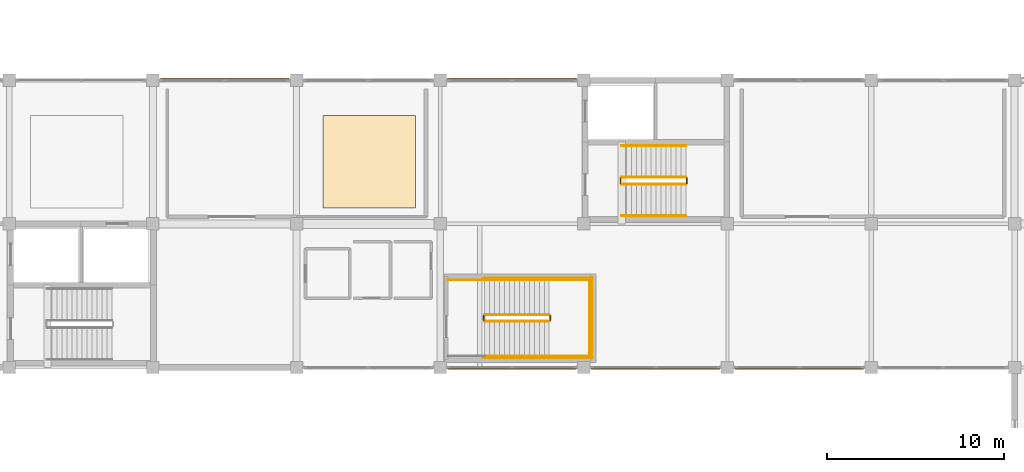
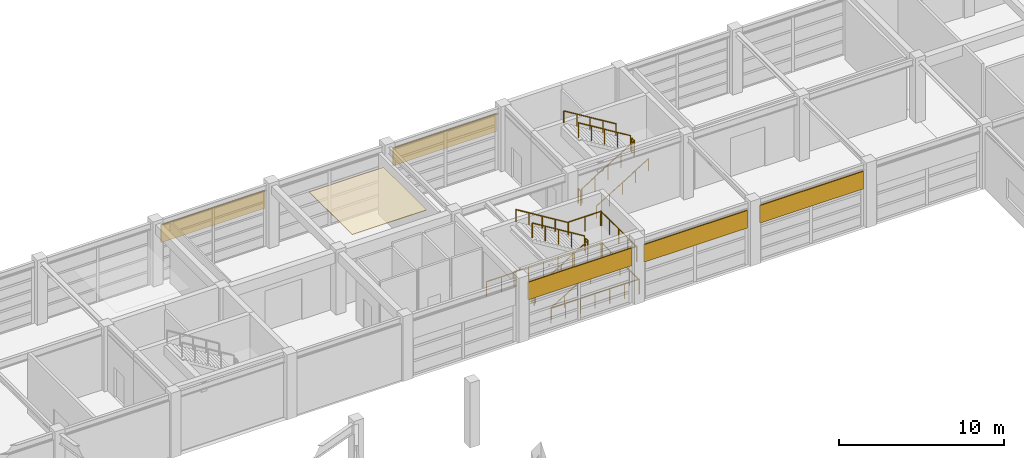
# One storey, part 54 of 56: 19 railings, 5 shading devices, 1 covering.
"""IFC4 building model written with IfcOpenShell, lengths in metres."""

import ifcopenshell
import ifcopenshell.guid

model = None  # the IFC model being written
_history = None  # IfcOwnerHistory: only IFC2X3 demands one
_inside = {}  # id of a spatial element -> (the spatial element, [elements in it])
_under = {}  # id of a project, library or spatial element -> (it, [spatial elements below it])
_declared = {}  # id of a project -> (the project, [libraries it declares])
_typed = {}  # id of a type object -> (the type object, [elements of that type])
_made_of = {}  # id of a material, layer set ... -> (it, [elements and type objects made of it])


def new_model(schema):
    """Start an empty IFC model of exactly this schema.

    Asked for "IFC4X3", IfcOpenShell would pick the latest addendum, in which some entities
    have other attributes; the version numbers below select the first issue.
    IFC2X3 requires an IfcOwnerHistory on every rooted entity: one is made here for all.
    """
    global model, _history
    if schema == "IFC4X3":
        model = ifcopenshell.file(schema_version=(4, 3, 0, 0))
    else:
        model = ifcopenshell.file(schema=schema)
    _inside.clear()
    _under.clear()
    _declared.clear()
    _typed.clear()
    _made_of.clear()
    _history = None
    if model.schema == "IFC2X3":
        org = make("IfcOrganization", Name="unknown")
        user = make(
            "IfcPersonAndOrganization",
            ThePerson=make("IfcPerson", FamilyName="unknown"),
            TheOrganization=org,
        )
        app = make(
            "IfcApplication",
            ApplicationDeveloper=org,
            Version="unknown",
            ApplicationFullName="unknown",
            ApplicationIdentifier="unknown",
        )
        _history = make(
            "IfcOwnerHistory",
            OwningUser=user,
            OwningApplication=app,
            ChangeAction="ADDED",
            CreationDate=0,
        )
    return model


def make(cls, **values):
    """One entity of the class cls with the attributes given. An attribute that is None is left unset."""
    return model.create_entity(
        cls, **{name: value for name, value in values.items() if value is not None}
    )


def rooted(cls, **values):
    """An entity with a GlobalId (a new one), such as an element, a storey or a relation."""
    return make(cls, GlobalId=ifcopenshell.guid.new(), OwnerHistory=_history, **values)


def si_unit(unit_type, name, prefix=None):
    """IfcSIUnit, for example si_unit("LENGTHUNIT", "METRE", prefix="MILLI")."""
    return make("IfcSIUnit", UnitType=unit_type, Prefix=prefix, Name=name)


def assignment(units):
    """IfcUnitAssignment: the units of a project."""
    return None if units is None else make("IfcUnitAssignment", Units=units)


def point(xyz):
    """IfcCartesianPoint."""
    return None if xyz is None else make("IfcCartesianPoint", Coordinates=xyz)


def direction(xyz):
    """IfcDirection."""
    return None if xyz is None else make("IfcDirection", DirectionRatios=xyz)


def frame(location, z_axis=None, x_axis=None):
    """IfcAxis2Placement3D, a coordinate frame: its origin and axes. An axis left out is left unset."""
    return make(
        "IfcAxis2Placement3D",
        Location=point(location),
        Axis=direction(z_axis),
        RefDirection=direction(x_axis),
    )


def frame_2d(location, x_axis=None):
    """IfcAxis2Placement2D, a coordinate frame in the plane: its origin and x axis."""
    return make(
        "IfcAxis2Placement2D", Location=point(location), RefDirection=direction(x_axis)
    )


def origin():
    """The frame at (0, 0, 0) with its axes left unset."""
    return frame((0.0, 0.0, 0.0))


def origin_2d():
    """The frame at (0, 0) in the plane with its x axis left unset."""
    return frame_2d((0.0, 0.0))


def place(relative_to, where):
    """IfcLocalPlacement: puts the frame where relative to a parent placement (None: the world)."""
    return make(
        "IfcLocalPlacement", PlacementRelTo=relative_to, RelativePlacement=where
    )


def context(
    kind, dimensions, precision=None, world=None, true_north=None, identifier=None
):
    """IfcGeometricRepresentationContext, for example the 3D "Model" context."""
    return make(
        "IfcGeometricRepresentationContext",
        ContextIdentifier=identifier,
        ContextType=kind,
        CoordinateSpaceDimension=dimensions,
        Precision=precision,
        WorldCoordinateSystem=world,
        TrueNorth=true_north,
    )


def subcontext(parent, identifier, kind, view, scale=None):
    """IfcGeometricRepresentationSubContext, for example "Body" below "Model"."""
    return make(
        "IfcGeometricRepresentationSubContext",
        ContextIdentifier=identifier,
        ContextType=kind,
        ParentContext=parent,
        TargetScale=scale,
        TargetView=view,
    )


def project(units=None, contexts=None):
    """IfcProject with its units and contexts."""
    return rooted(
        "IfcProject",
        Name="project",
        RepresentationContexts=contexts,
        UnitsInContext=assignment(units),
    )


def spatial(cls, under=None, at=None, **own):
    """A site, building, storey or space (cls), placed at a placement, below another one or the project."""
    s = rooted(cls, ObjectPlacement=at, **own)
    if under is not None:
        _under.setdefault(under.id(), (under, []))[1].append(s)
    return s


def profile(cls, at=None, kind="AREA", **sizes):
    """A parametric profile (cls). Its sizes go by their IFC names, for example OverallWidth=200.0."""
    return make(cls, ProfileType=kind, Position=at, **sizes)


def rectangle(**sizes):
    """IfcRectangleProfileDef."""
    return profile("IfcRectangleProfileDef", **sizes)


def circle(**sizes):
    """IfcCircleProfileDef."""
    return profile("IfcCircleProfileDef", **sizes)


def extrude(swept, where, along, depth):
    """IfcExtrudedAreaSolid: the profile swept, set in the frame where, extruded along a direction by depth."""
    return make(
        "IfcExtrudedAreaSolid",
        SweptArea=swept,
        Position=where,
        ExtrudedDirection=direction(along),
        Depth=depth,
    )


def shape(context_of_items, identifier, shape_type, items):
    """IfcShapeRepresentation: the items that make up one representation, for example the "Body"."""
    return make(
        "IfcShapeRepresentation",
        ContextOfItems=context_of_items,
        RepresentationIdentifier=identifier,
        RepresentationType=shape_type,
        Items=items,
    )


def material(Name=None, Category=None):
    """IfcMaterial."""
    return make("IfcMaterial", Name=Name, Category=Category)


def layer(
    of_material, thickness, ventilated=None, Name=None, Category=None, Priority=None
):
    """IfcMaterialLayer: one layer of a wall or slab, of a material (None: an air gap)."""
    return make(
        "IfcMaterialLayer",
        Material=of_material,
        LayerThickness=thickness,
        IsVentilated=ventilated,
        Name=Name,
        Category=Category,
        Priority=Priority,
    )


def layer_set(layers, Name=None):
    """IfcMaterialLayerSet."""
    return make("IfcMaterialLayerSet", MaterialLayers=layers, LayerSetName=Name)


def made_of(thing, what):
    """Note that an element or type object is made of a material, layer set ...; save() writes the relation."""
    if what is not None:
        _made_of.setdefault(what.id(), (what, []))[1].append(thing)
    return thing


def type_object(cls, material=None, **own):
    """A type object (cls), such as IfcWallType, which elements share."""
    return made_of(rooted(cls, **own), material)


def element(
    cls,
    number,
    at=None,
    inside=None,
    cuts=None,
    type_object=None,
    material=None,
    context=None,
    identifier="Body",
    shape_type=None,
    held_by="IfcProductDefinitionShape",
    body=None,
    shapes=None,
    **own,
):
    """One element of the class cls, such as IfcWall. Its Tag is "e" and its number.

    at: its placement. inside: the storey or other place that contains it. cuts: it is an
    opening in that element (IfcRelVoidsElement). A single representation is given by context,
    identifier, shape_type and body (its items); several are given by shapes. held_by: the class
    of the entity that holds the representations. save() writes the other relations.
    """
    e = rooted(cls, Tag="e%d" % number, ObjectPlacement=at, **own)
    if body is not None:
        shapes = [shape(context, identifier, shape_type, body)]
    if shapes is not None:
        e.Representation = make(held_by, Representations=shapes)
    if inside is not None:
        _inside.setdefault(inside.id(), (inside, []))[1].append(e)
    if cuts is not None:
        rooted(
            "IfcRelVoidsElement", RelatingBuildingElement=cuts, RelatedOpeningElement=e
        )
    if type_object is not None:
        _typed.setdefault(type_object.id(), (type_object, []))[1].append(e)
    return made_of(e, material)


def aggregate(whole, parts):
    """IfcRelAggregates: a whole, such as a stair, and the parts it consists of."""
    return rooted("IfcRelAggregates", RelatingObject=whole, RelatedObjects=parts)


def save(model, path):
    """Write the relations noted so far, then the file.

    IfcRelAggregates (storeys below a building ...), IfcRelContainedInSpatialStructure (elements
    in a storey), IfcRelDefinesByType, IfcRelAssociatesMaterial and IfcRelDeclares: one each for
    every whole, place, type object, material and project.
    """
    for whole, parts in _under.values():
        aggregate(whole, parts)
    for where, things in _inside.values():
        rooted(
            "IfcRelContainedInSpatialStructure",
            RelatedElements=things,
            RelatingStructure=where,
        )
    for kind, things in _typed.values():
        rooted("IfcRelDefinesByType", RelatedObjects=things, RelatingType=kind)
    for what, things in _made_of.values():
        rooted("IfcRelAssociatesMaterial", RelatedObjects=things, RelatingMaterial=what)
    for by, libraries in _declared.values():
        rooted("IfcRelDeclares", RelatingContext=by, RelatedDefinitions=libraries)
    model.write(path)


model = new_model("IFC4")

# Units and contexts
model_context = context("Model", 3, precision=1e-05, world=origin(), true_north=direction((0.0, 1.0)))
body_context = subcontext(model_context, "Body", "Model", "MODEL_VIEW")
ifc_project = project(units=[si_unit("LENGTHUNIT", "METRE"), si_unit("AREAUNIT", "SQUARE_METRE"), si_unit("VOLUMEUNIT", "CUBIC_METRE"), si_unit("PLANEANGLEUNIT", "RADIAN"), si_unit("MASSUNIT", "GRAM", prefix="KILO")], contexts=[model_context])

# Site, building, storey
site_placement = place(None, origin())
site = spatial("IfcSite", under=ifc_project, at=site_placement, CompositionType="ELEMENT")
building_placement = place(site_placement, origin())
building = spatial("IfcBuilding", under=site, at=building_placement, Name="Parian Resonance Hall", CompositionType="ELEMENT")
storey_placement = place(building_placement, frame((0.0, 0.0, 5.39990234375)))
storey = spatial("IfcBuildingStorey", under=building, at=storey_placement, Name="L01", CompositionType="ELEMENT", Elevation=5.39990234375)

# Covering
ifc_material_1 = material(Name="Perforated mahogany and mineral-wool acoustic ceiling")
ifc_layer_1 = layer(ifc_material_1, 0.0400390625)
ifc_layer_set_1 = layer_set([ifc_layer_1], Name="Perforated mahogany and mineral-wool acoustic ceiling")
covering_type = type_object("IfcCoveringType", Name="COV-CEIL-ACOUSTIC", PredefinedType="CEILING", material=ifc_layer_set_1)
covering_placement = place(storey_placement, frame((77.0, 84.5, 4.52197265625), z_axis=(0.0, 0.0, 1.0), x_axis=(1.0, 0.0, 0.0)))
element("IfcCovering", 1, at=covering_placement, inside=storey, type_object=covering_type, Name="Suspended mahogany acoustic ceiling canopy L01-04", PredefinedType="CEILING", context=body_context, shape_type="SweptSolid", body=[
    extrude(rectangle(XDim=5.199951171875, YDim=5.199951171875, at=origin_2d()), origin(), (0.0, 0.0, 1.0), 0.0400390625),
])

# Railings
ifc_material_2 = material(Name="Patinated bronze whiplash metalwork")
railing_type_1 = type_object("IfcRailingType", Name="RAIL-HALL-BAL-1120", PredefinedType="BALUSTRADE", material=ifc_material_2)
railing_1_placement = place(storey_placement, frame((83.510009765625, 75.510009765625, 0.171630859375)))
element("IfcRailing", 2, at=railing_1_placement, inside=storey, type_object=railing_type_1, Name="L01 ST-08 stair guard 1", PredefinedType="BALUSTRADE", context=body_context, shape_type="SweptSolid", body=[
    extrude(circle(Radius=0.02392578125, at=origin_2d()), frame((0.0, 0.0, 1.076171875), z_axis=(0.852850264322, 0.0, 0.5221555579), x_axis=(0.0, 1.0, 0.0)), (0.0, 0.0, 1.0), 4.267822265625),
    extrude(circle(Radius=0.02099609375, at=origin_2d()), origin(), (0.0, 0.0, 1.0), 1.052001953125),
    extrude(circle(Radius=0.02099609375, at=origin_2d()), frame((0.909912109375, 0.0, 0.55712890625)), (0.0, 0.0, 1.0), 1.052001953125),
    extrude(circle(Radius=0.02099609375, at=origin_2d()), frame((1.81982421875, 0.0, 1.1142578125)), (0.0, 0.0, 1.0), 1.052001953125),
    extrude(circle(Radius=0.02099609375, at=origin_2d()), frame((2.72998046875, 0.0, 1.67138671875)), (0.0, 0.0, 1.0), 1.052001953125),
    extrude(circle(Radius=0.02099609375, at=origin_2d()), frame((3.639892578125, 0.0, 2.228515625)), (0.0, 0.0, 1.0), 1.052001953125),
])
railing_2_placement = place(storey_placement, frame((87.199951171875, 75.56005859375, 2.400146484375)))
element("IfcRailing", 3, at=railing_2_placement, inside=storey, type_object=railing_type_1, Name="L01 ST-08 stair guard 2", PredefinedType="BALUSTRADE", context=body_context, shape_type="SweptSolid", body=[
    extrude(circle(Radius=0.02392578125, at=origin_2d()), frame((0.0, 0.0, 1.076171875), z_axis=(0.0, 1.0, 0.0), x_axis=(-1.0, 0.0, 0.0)), (0.0, 0.0, 1.0), 0.260009765625),
    extrude(circle(Radius=0.02099609375, at=origin_2d()), origin(), (0.0, 0.0, 1.0), 1.052001953125),
    extrude(circle(Radius=0.02099609375, at=origin_2d()), frame((0.0, 0.260009765625, 0.0)), (0.0, 0.0, 1.0), 1.052001953125),
])
for number, where, name in (
    (4, (87.14990234375, 73.550048828125, 2.400146484375), "L01 ST-08 stair guard 3"),
    (5, (87.14990234375, 77.830078125, 2.400146484375), "L01 ST-08 stair guard 4"),
):
    element("IfcRailing", number, at=place(storey_placement, frame(where)), inside=storey, type_object=railing_type_1, Name=name, PredefinedType="BALUSTRADE", context=body_context, shape_type="SweptSolid", body=[
        extrude(circle(Radius=0.02392578125, at=origin_2d()), frame((0.0, 0.0, 1.076171875), z_axis=(1.0, 0.0, 0.0), x_axis=(0.0, 1.0, 0.0)), (0.0, 0.0, 1.0), 2.340087890625),
        extrude(circle(Radius=0.02099609375, at=origin_2d()), origin(), (0.0, 0.0, 1.0), 1.052001953125),
        extrude(circle(Radius=0.02099609375, at=origin_2d()), frame((1.169921875, 0.0, 0.0)), (0.0, 0.0, 1.0), 1.052001953125),
        extrude(circle(Radius=0.02099609375, at=origin_2d()), frame((2.340087890625, 0.0, 0.0)), (0.0, 0.0, 1.0), 1.052001953125),
    ])
railing_3_placement = place(storey_placement, frame((89.43994140625, 73.5, 2.400146484375)))
element("IfcRailing", 6, at=railing_3_placement, inside=storey, type_object=railing_type_1, Name="L01 ST-08 stair guard 5", PredefinedType="BALUSTRADE", context=body_context, shape_type="SweptSolid", body=[
    extrude(circle(Radius=0.02392578125, at=origin_2d()), frame((0.0, 0.0, 1.076171875), z_axis=(0.0, 1.0, 0.0), x_axis=(-1.0, 0.0, 0.0)), (0.0, 0.0, 1.0), 4.3798828125),
    extrude(circle(Radius=0.02099609375, at=origin_2d()), origin(), (0.0, 0.0, 1.0), 1.052001953125),
    extrude(circle(Radius=0.02099609375, at=origin_2d()), frame((0.0, 1.094970703125, 0.0)), (0.0, 0.0, 1.0), 1.052001953125),
    extrude(circle(Radius=0.02099609375, at=origin_2d()), frame((0.0, 2.18994140625, 0.0)), (0.0, 0.0, 1.0), 1.052001953125),
    extrude(circle(Radius=0.02099609375, at=origin_2d()), frame((0.0, 3.284912109375, 0.0)), (0.0, 0.0, 1.0), 1.052001953125),
    extrude(circle(Radius=0.02099609375, at=origin_2d()), frame((0.0, 4.3798828125, 0.0)), (0.0, 0.0, 1.0), 1.052001953125),
])
railing_4_placement = place(storey_placement, frame((87.14990234375, 75.8701171875, 2.571533203125)))
element("IfcRailing", 7, at=railing_4_placement, inside=storey, type_object=railing_type_1, Name="L01 ST-08 stair guard 6", PredefinedType="BALUSTRADE", context=body_context, shape_type="SweptSolid", body=[
    extrude(circle(Radius=0.02392578125, at=origin_2d()), frame((0.0, 0.0, 1.076171875), z_axis=(-0.852850264322, 0.0, 0.5221555579), x_axis=(0.0, -1.0, 0.0)), (0.0, 0.0, 1.0), 4.267822265625),
    extrude(circle(Radius=0.02099609375, at=origin_2d()), origin(), (0.0, 0.0, 1.0), 1.052001953125),
    extrude(circle(Radius=0.02099609375, at=origin_2d()), frame((-0.909912109375, 0.0, 0.55712890625)), (0.0, 0.0, 1.0), 1.052001953125),
    extrude(circle(Radius=0.02099609375, at=origin_2d()), frame((-1.81982421875, 0.0, 1.1142578125)), (0.0, 0.0, 1.0), 1.052001953125),
    extrude(circle(Radius=0.02099609375, at=origin_2d()), frame((-2.72998046875, 0.0, 1.67138671875)), (0.0, 0.0, 1.0), 1.052001953125),
    extrude(circle(Radius=0.02099609375, at=origin_2d()), frame((-3.639892578125, 0.0, 2.228515625)), (0.0, 0.0, 1.0), 1.052001953125),
])
railing_5_placement = place(storey_placement, frame((83.4599609375, 75.56005859375, 0.0)))
element("IfcRailing", 8, at=railing_5_placement, inside=storey, type_object=railing_type_1, Name="L01 ST-08 stair guard 7", PredefinedType="BALUSTRADE", context=body_context, shape_type="SweptSolid", body=[
    extrude(circle(Radius=0.02392578125, at=origin_2d()), frame((0.0, 0.0, 1.076171875), z_axis=(0.0, 1.0, 0.0), x_axis=(-1.0, 0.0, 0.0)), (0.0, 0.0, 1.0), 0.260009765625),
    extrude(circle(Radius=0.02099609375, at=origin_2d()), origin(), (0.0, 0.0, 1.0), 1.052001953125),
    extrude(circle(Radius=0.02099609375, at=origin_2d()), frame((0.0, 0.260009765625, 0.0)), (0.0, 0.0, 1.0), 1.052001953125),
])
railing_6_placement = place(storey_placement, frame((81.449951171875, 77.830078125, 0.0)))
element("IfcRailing", 9, at=railing_6_placement, inside=storey, type_object=railing_type_1, Name="L01 ST-08 stair guard 9", PredefinedType="BALUSTRADE", context=body_context, shape_type="SweptSolid", body=[
    extrude(circle(Radius=0.02392578125, at=origin_2d()), frame((0.0, 0.0, 1.076171875), z_axis=(1.0, 0.0, 0.0), x_axis=(0.0, 1.0, 0.0)), (0.0, 0.0, 1.0), 2.06005859375),
    extrude(circle(Radius=0.02099609375, at=origin_2d()), origin(), (0.0, 0.0, 1.0), 1.052001953125),
    extrude(circle(Radius=0.02099609375, at=origin_2d()), frame((1.030029296875, 0.0, 0.0)), (0.0, 0.0, 1.0), 1.052001953125),
    extrude(circle(Radius=0.02099609375, at=origin_2d()), frame((2.06005859375, 0.0, 0.0)), (0.0, 0.0, 1.0), 1.052001953125),
])
for number, where, name in (
    (10, (83.409912109375, 73.449951171875, 0.0), "L01 ST-08 stair guard 10"),
    (11, (83.409912109375, 77.929931640625, 0.0), "L01 ST-08 stair guard 11"),
):
    element("IfcRailing", number, at=place(storey_placement, frame(where)), inside=storey, type_object=railing_type_1, Name=name, PredefinedType="BALUSTRADE", context=body_context, shape_type="SweptSolid", body=[
        extrude(circle(Radius=0.02392578125, at=origin_2d()), frame((0.0, 0.0, 1.076171875), z_axis=(1.0, 0.0, 0.0), x_axis=(0.0, 1.0, 0.0)), (0.0, 0.0, 1.0), 6.18017578125),
        extrude(circle(Radius=0.02099609375, at=origin_2d()), origin(), (0.0, 0.0, 1.0), 1.052001953125),
        extrude(circle(Radius=0.02099609375, at=origin_2d()), frame((1.030029296875, 0.0, 0.0)), (0.0, 0.0, 1.0), 1.052001953125),
        extrude(circle(Radius=0.02099609375, at=origin_2d()), frame((2.06005859375, 0.0, 0.0)), (0.0, 0.0, 1.0), 1.052001953125),
        extrude(circle(Radius=0.02099609375, at=origin_2d()), frame((3.090087890625, 0.0, 0.0)), (0.0, 0.0, 1.0), 1.052001953125),
        extrude(circle(Radius=0.02099609375, at=origin_2d()), frame((4.1201171875, 0.0, 0.0)), (0.0, 0.0, 1.0), 1.052001953125),
        extrude(circle(Radius=0.02099609375, at=origin_2d()), frame((5.150146484375, 0.0, 0.0)), (0.0, 0.0, 1.0), 1.052001953125),
        extrude(circle(Radius=0.02099609375, at=origin_2d()), frame((6.18017578125, 0.0, 0.0)), (0.0, 0.0, 1.0), 1.052001953125),
    ])
railing_7_placement = place(storey_placement, frame((89.5400390625, 73.39990234375, 0.0)))
element("IfcRailing", 12, at=railing_7_placement, inside=storey, type_object=railing_type_1, Name="L01 ST-08 stair guard 12", PredefinedType="BALUSTRADE", context=body_context, shape_type="SweptSolid", body=[
    extrude(circle(Radius=0.02392578125, at=origin_2d()), frame((0.0, 0.0, 1.076171875), z_axis=(0.0, 1.0, 0.0), x_axis=(-1.0, 0.0, 0.0)), (0.0, 0.0, 1.0), 4.580078125),
    extrude(circle(Radius=0.02099609375, at=origin_2d()), origin(), (0.0, 0.0, 1.0), 1.052001953125),
    extrude(circle(Radius=0.02099609375, at=origin_2d()), frame((0.0, 1.14501953125, 0.0)), (0.0, 0.0, 1.0), 1.052001953125),
    extrude(circle(Radius=0.02099609375, at=origin_2d()), frame((0.0, 2.2900390625, 0.0)), (0.0, 0.0, 1.0), 1.052001953125),
    extrude(circle(Radius=0.02099609375, at=origin_2d()), frame((0.0, 3.43505859375, 0.0)), (0.0, 0.0, 1.0), 1.052001953125),
    extrude(circle(Radius=0.02099609375, at=origin_2d()), frame((0.0, 4.580078125, 0.0)), (0.0, 0.0, 1.0), 1.052001953125),
])
ifc_material_3 = material(Name="Patinated bronze whiplash metalwork")
railing_type_2 = type_object("IfcRailingType", Name="RAIL-STAIR-GRD-1100", PredefinedType="GUARDRAIL", material=ifc_material_3)
railing_8_placement = place(storey_placement, frame((91.219970703125, 83.22998046875, 0.171630859375)))
element("IfcRailing", 13, at=railing_8_placement, inside=storey, type_object=railing_type_2, Name="L01 ST-05 stair guard 1", PredefinedType="GUARDRAIL", context=body_context, shape_type="SweptSolid", body=[
    extrude(circle(Radius=0.02392578125, at=origin_2d()), frame((0.0, 0.0, 1.076171875), z_axis=(0.852865859571, 0.0, 0.52213008492), x_axis=(0.0, 1.0, 0.0)), (0.0, 0.0, 1.0), 4.26806640625),
    extrude(circle(Radius=0.02099609375, at=origin_2d()), origin(), (0.0, 0.0, 1.0), 1.052001953125),
    extrude(circle(Radius=0.02099609375, at=origin_2d()), frame((0.91015625, 0.0, 0.55712890625)), (0.0, 0.0, 1.0), 1.052001953125),
    extrude(circle(Radius=0.02099609375, at=origin_2d()), frame((1.820068359375, 0.0, 1.1142578125)), (0.0, 0.0, 1.0), 1.052001953125),
    extrude(circle(Radius=0.02099609375, at=origin_2d()), frame((2.72998046875, 0.0, 1.67138671875)), (0.0, 0.0, 1.0), 1.052001953125),
    extrude(circle(Radius=0.02099609375, at=origin_2d()), frame((3.64013671875, 0.0, 2.228515625)), (0.0, 0.0, 1.0), 1.052001953125),
])
railing_9_placement = place(storey_placement, frame((94.909912109375, 83.280029296875, 2.400146484375)))
element("IfcRailing", 14, at=railing_9_placement, inside=storey, type_object=railing_type_2, Name="L01 ST-05 stair guard 2", PredefinedType="GUARDRAIL", context=body_context, shape_type="SweptSolid", body=[
    extrude(circle(Radius=0.02392578125, at=origin_2d()), frame((0.0, 0.0, 1.076171875), z_axis=(0.0, 1.0, 0.0), x_axis=(-1.0, 0.0, 0.0)), (0.0, 0.0, 1.0), 0.300048828125),
    extrude(circle(Radius=0.02099609375, at=origin_2d()), origin(), (0.0, 0.0, 1.0), 1.052001953125),
    extrude(circle(Radius=0.02099609375, at=origin_2d()), frame((0.0, 0.300048828125, 0.0)), (0.0, 0.0, 1.0), 1.052001953125),
])
railing_10_placement = place(storey_placement, frame((94.860107421875, 83.6298828125, 2.571533203125)))
element("IfcRailing", 15, at=railing_10_placement, inside=storey, type_object=railing_type_2, Name="L01 ST-05 stair guard 3", PredefinedType="GUARDRAIL", context=body_context, shape_type="SweptSolid", body=[
    extrude(circle(Radius=0.02392578125, at=origin_2d()), frame((0.0, 0.0, 1.076171875), z_axis=(-0.852865859571, 0.0, 0.52213008492), x_axis=(0.0, -1.0, 0.0)), (0.0, 0.0, 1.0), 4.26806640625),
    extrude(circle(Radius=0.02099609375, at=origin_2d()), origin(), (0.0, 0.0, 1.0), 1.052001953125),
    extrude(circle(Radius=0.02099609375, at=origin_2d()), frame((-0.91015625, 0.0, 0.55712890625)), (0.0, 0.0, 1.0), 1.052001953125),
    extrude(circle(Radius=0.02099609375, at=origin_2d()), frame((-1.820068359375, 0.0, 1.1142578125)), (0.0, 0.0, 1.0), 1.052001953125),
    extrude(circle(Radius=0.02099609375, at=origin_2d()), frame((-2.72998046875, 0.0, 1.67138671875)), (0.0, 0.0, 1.0), 1.052001953125),
    extrude(circle(Radius=0.02099609375, at=origin_2d()), frame((-3.64013671875, 0.0, 2.228515625)), (0.0, 0.0, 1.0), 1.052001953125),
])
railing_11_placement = place(storey_placement, frame((91.169921875, 83.280029296875, 0.0)))
element("IfcRailing", 16, at=railing_11_placement, inside=storey, type_object=railing_type_2, Name="L01 ST-05 stair guard 4", PredefinedType="GUARDRAIL", context=body_context, shape_type="SweptSolid", body=[
    extrude(circle(Radius=0.02392578125, at=origin_2d()), frame((0.0, 0.0, 1.076171875), z_axis=(0.0, 1.0, 0.0), x_axis=(-1.0, 0.0, 0.0)), (0.0, 0.0, 1.0), 0.300048828125),
    extrude(circle(Radius=0.02099609375, at=origin_2d()), origin(), (0.0, 0.0, 1.0), 1.052001953125),
    extrude(circle(Radius=0.02099609375, at=origin_2d()), frame((0.0, 0.300048828125, 0.0)), (0.0, 0.0, 1.0), 1.052001953125),
])
ifc_material_4 = material(Name="Patinated bronze whiplash metalwork")
railing_type_3 = type_object("IfcRailingType", Name="RAIL-STAIR-HR-900", PredefinedType="HANDRAIL", material=ifc_material_4)
railing_12_placement = place(storey_placement, frame((91.219970703125, 81.449951171875, 0.171630859375)))
element("IfcRailing", 17, at=railing_12_placement, inside=storey, type_object=railing_type_3, Name="L01 ST-05 stair handrail 1", PredefinedType="HANDRAIL", context=body_context, shape_type="SweptSolid", body=[
    extrude(circle(Radius=0.02392578125, at=origin_2d()), frame((0.0, 0.0, 0.8759765625), z_axis=(0.852865859571, 0.0, 0.52213008492), x_axis=(0.0, 1.0, 0.0)), (0.0, 0.0, 1.0), 4.26806640625),
    extrude(circle(Radius=0.02099609375, at=origin_2d()), origin(), (0.0, 0.0, 1.0), 0.851806640625),
    extrude(circle(Radius=0.02099609375, at=origin_2d()), frame((0.91015625, 0.0, 0.55712890625)), (0.0, 0.0, 1.0), 0.851806640625),
    extrude(circle(Radius=0.02099609375, at=origin_2d()), frame((1.820068359375, 0.0, 1.1142578125)), (0.0, 0.0, 1.0), 0.851806640625),
    extrude(circle(Radius=0.02099609375, at=origin_2d()), frame((2.72998046875, 0.0, 1.67138671875)), (0.0, 0.0, 1.0), 0.851806640625),
    extrude(circle(Radius=0.02099609375, at=origin_2d()), frame((3.64013671875, 0.0, 2.228515625)), (0.0, 0.0, 1.0), 0.851806640625),
])
railing_13_placement = place(storey_placement, frame((94.860107421875, 85.409912109375, 2.571533203125)))
element("IfcRailing", 18, at=railing_13_placement, inside=storey, type_object=railing_type_3, Name="L01 ST-05 stair handrail 2", PredefinedType="HANDRAIL", context=body_context, shape_type="SweptSolid", body=[
    extrude(circle(Radius=0.02392578125, at=origin_2d()), frame((0.0, 0.0, 0.8759765625), z_axis=(-0.852865859571, 0.0, 0.52213008492), x_axis=(0.0, -1.0, 0.0)), (0.0, 0.0, 1.0), 4.26806640625),
    extrude(circle(Radius=0.02099609375, at=origin_2d()), origin(), (0.0, 0.0, 1.0), 0.851806640625),
    extrude(circle(Radius=0.02099609375, at=origin_2d()), frame((-0.91015625, 0.0, 0.55712890625)), (0.0, 0.0, 1.0), 0.851806640625),
    extrude(circle(Radius=0.02099609375, at=origin_2d()), frame((-1.820068359375, 0.0, 1.1142578125)), (0.0, 0.0, 1.0), 0.851806640625),
    extrude(circle(Radius=0.02099609375, at=origin_2d()), frame((-2.72998046875, 0.0, 1.67138671875)), (0.0, 0.0, 1.0), 0.851806640625),
    extrude(circle(Radius=0.02099609375, at=origin_2d()), frame((-3.64013671875, 0.0, 2.228515625)), (0.0, 0.0, 1.0), 0.851806640625),
])
railing_14_placement = place(storey_placement, frame((83.510009765625, 73.550048828125, 0.171630859375)))
element("IfcRailing", 19, at=railing_14_placement, inside=storey, type_object=railing_type_3, Name="L01 ST-08 stair handrail 1", PredefinedType="HANDRAIL", context=body_context, shape_type="SweptSolid", body=[
    extrude(circle(Radius=0.02392578125, at=origin_2d()), frame((0.0, 0.0, 0.8759765625), z_axis=(0.852850264322, 0.0, 0.5221555579), x_axis=(0.0, 1.0, 0.0)), (0.0, 0.0, 1.0), 4.267822265625),
    extrude(circle(Radius=0.02099609375, at=origin_2d()), origin(), (0.0, 0.0, 1.0), 0.851806640625),
    extrude(circle(Radius=0.02099609375, at=origin_2d()), frame((0.909912109375, 0.0, 0.55712890625)), (0.0, 0.0, 1.0), 0.851806640625),
    extrude(circle(Radius=0.02099609375, at=origin_2d()), frame((1.81982421875, 0.0, 1.1142578125)), (0.0, 0.0, 1.0), 0.851806640625),
    extrude(circle(Radius=0.02099609375, at=origin_2d()), frame((2.72998046875, 0.0, 1.67138671875)), (0.0, 0.0, 1.0), 0.851806640625),
    extrude(circle(Radius=0.02099609375, at=origin_2d()), frame((3.639892578125, 0.0, 2.228515625)), (0.0, 0.0, 1.0), 0.851806640625),
])
railing_15_placement = place(storey_placement, frame((87.14990234375, 77.830078125, 2.571533203125)))
element("IfcRailing", 20, at=railing_15_placement, inside=storey, type_object=railing_type_3, Name="L01 ST-08 stair handrail 2", PredefinedType="HANDRAIL", context=body_context, shape_type="SweptSolid", body=[
    extrude(circle(Radius=0.02392578125, at=origin_2d()), frame((0.0, 0.0, 0.8759765625), z_axis=(-0.852850264322, 0.0, 0.5221555579), x_axis=(0.0, -1.0, 0.0)), (0.0, 0.0, 1.0), 4.267822265625),
    extrude(circle(Radius=0.02099609375, at=origin_2d()), origin(), (0.0, 0.0, 1.0), 0.851806640625),
    extrude(circle(Radius=0.02099609375, at=origin_2d()), frame((-0.909912109375, 0.0, 0.55712890625)), (0.0, 0.0, 1.0), 0.851806640625),
    extrude(circle(Radius=0.02099609375, at=origin_2d()), frame((-1.81982421875, 0.0, 1.1142578125)), (0.0, 0.0, 1.0), 0.851806640625),
    extrude(circle(Radius=0.02099609375, at=origin_2d()), frame((-2.72998046875, 0.0, 1.67138671875)), (0.0, 0.0, 1.0), 0.851806640625),
    extrude(circle(Radius=0.02099609375, at=origin_2d()), frame((-3.639892578125, 0.0, 2.228515625)), (0.0, 0.0, 1.0), 0.851806640625),
])

# Shading devices
ifc_material_5 = material(Name="Patinated bronze persiana louver")
ifc_layer_2 = layer(ifc_material_5, 0.080078125)
ifc_layer_set_2 = layer_set([ifc_layer_2], Name="Patinated bronze persiana louver")
shading_device_type = type_object("IfcShadingDeviceType", Name="SHD-PERSIANA-JAL", PredefinedType="JALOUSIE", material=ifc_layer_set_2)
for number, where, z_axis, x_axis, name in (
    (21, (68.85009765625, 89.16748046875, 2.787109375), (0.0, 0.0, 1.0), (1.0, 0.0, 0.0), "Bronze persiana storm jalousie L01-041"),
    (22, (85.050048828125, 89.172607421875, 2.787109375), (0.0, 0.0, 1.0), (1.0, 0.0, 0.0), "Bronze persiana storm jalousie L01-044"),
    (23, (85.050048828125, 72.827392578125, 2.787109375), (0.0, 0.0, 1.0), (-1.0, 0.0, 0.0), "Bronze persiana storm jalousie L01-051"),
    (24, (93.14990234375, 72.827392578125, 2.73486328125), (0.0, 0.0, 1.0), (-1.0, 0.0, 0.0), "Bronze persiana storm jalousie L01-053"),
    (25, (101.25, 72.827392578125, 2.787109375), (0.0, 0.0, 1.0), (-1.0, 0.0, 0.0), "Bronze persiana storm jalousie L01-055"),
):
    element("IfcShadingDevice", number, at=place(storey_placement, frame(where, z_axis=z_axis, x_axis=x_axis)), inside=storey, type_object=shading_device_type, Name=name, PredefinedType="JALOUSIE", context=body_context, shape_type="SweptSolid", body=[
        extrude(rectangle(XDim=7.239990234375, YDim=0.080078125, at=origin_2d()), origin(), (0.0, 0.0, 1.0), 1.300048828125),
    ])

save(model, "model.ifc")
